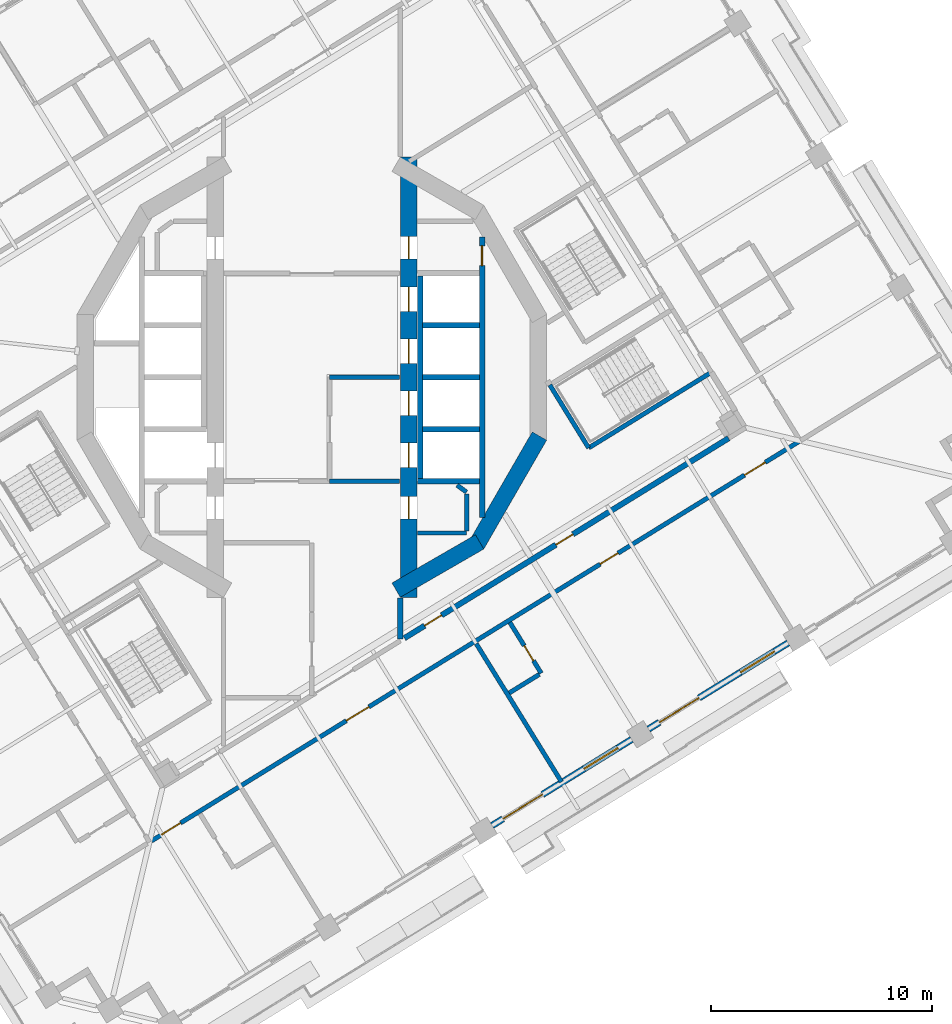
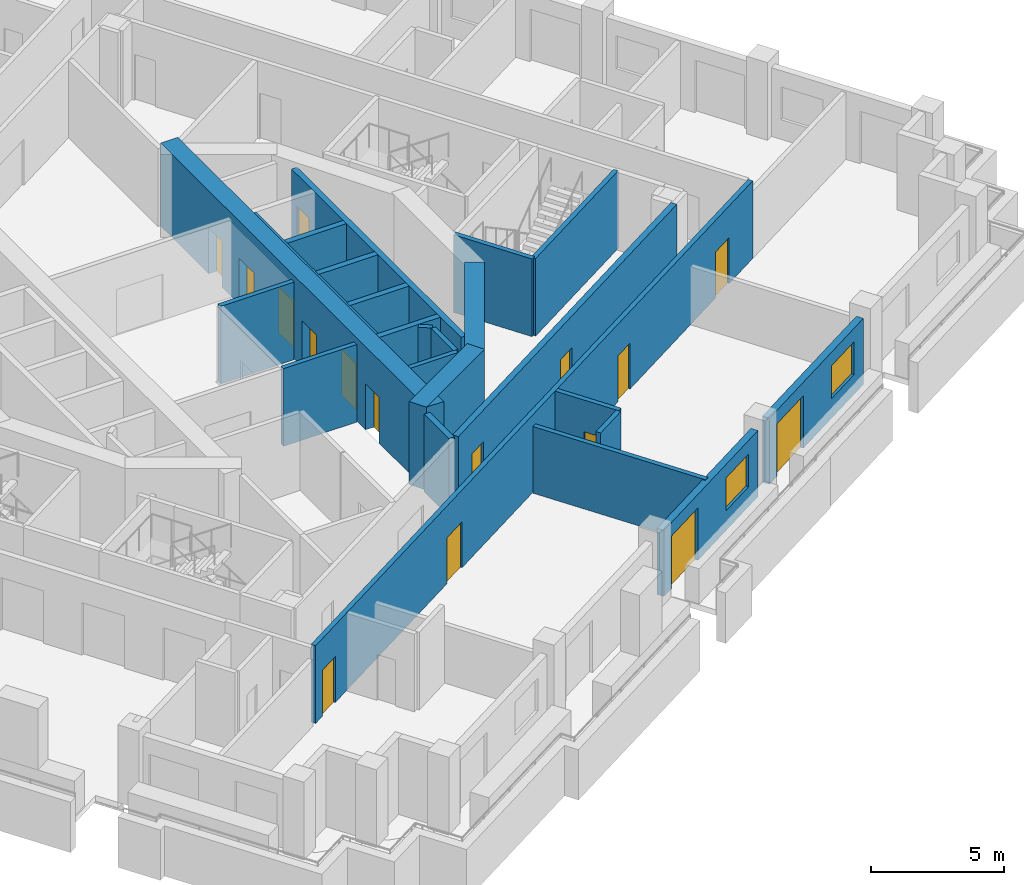
# One storey, part 6 of 20: 24 walls, 16 doors, 2 windows, 18 openings.
"""IFC4 building model written with IfcOpenShell, lengths in metres."""

import ifcopenshell
import ifcopenshell.guid

model = None  # the IFC model being written
_history = None  # IfcOwnerHistory: only IFC2X3 demands one
_inside = {}  # id of a spatial element -> (the spatial element, [elements in it])
_under = {}  # id of a project, library or spatial element -> (it, [spatial elements below it])
_declared = {}  # id of a project -> (the project, [libraries it declares])
_typed = {}  # id of a type object -> (the type object, [elements of that type])
_made_of = {}  # id of a material, layer set ... -> (it, [elements and type objects made of it])


def new_model(schema):
    """Start an empty IFC model of exactly this schema.

    Asked for "IFC4X3", IfcOpenShell would pick the latest addendum, in which some entities
    have other attributes; the version numbers below select the first issue.
    IFC2X3 requires an IfcOwnerHistory on every rooted entity: one is made here for all.
    """
    global model, _history
    if schema == "IFC4X3":
        model = ifcopenshell.file(schema_version=(4, 3, 0, 0))
    else:
        model = ifcopenshell.file(schema=schema)
    _inside.clear()
    _under.clear()
    _declared.clear()
    _typed.clear()
    _made_of.clear()
    _history = None
    if model.schema == "IFC2X3":
        org = make("IfcOrganization", Name="unknown")
        user = make(
            "IfcPersonAndOrganization",
            ThePerson=make("IfcPerson", FamilyName="unknown"),
            TheOrganization=org,
        )
        app = make(
            "IfcApplication",
            ApplicationDeveloper=org,
            Version="unknown",
            ApplicationFullName="unknown",
            ApplicationIdentifier="unknown",
        )
        _history = make(
            "IfcOwnerHistory",
            OwningUser=user,
            OwningApplication=app,
            ChangeAction="ADDED",
            CreationDate=0,
        )
    return model


def make(cls, **values):
    """One entity of the class cls with the attributes given. An attribute that is None is left unset."""
    return model.create_entity(
        cls, **{name: value for name, value in values.items() if value is not None}
    )


def rooted(cls, **values):
    """An entity with a GlobalId (a new one), such as an element, a storey or a relation."""
    return make(cls, GlobalId=ifcopenshell.guid.new(), OwnerHistory=_history, **values)


def si_unit(unit_type, name, prefix=None):
    """IfcSIUnit, for example si_unit("LENGTHUNIT", "METRE", prefix="MILLI")."""
    return make("IfcSIUnit", UnitType=unit_type, Prefix=prefix, Name=name)


def assignment(units):
    """IfcUnitAssignment: the units of a project."""
    return None if units is None else make("IfcUnitAssignment", Units=units)


def point(xyz):
    """IfcCartesianPoint."""
    return None if xyz is None else make("IfcCartesianPoint", Coordinates=xyz)


def direction(xyz):
    """IfcDirection."""
    return None if xyz is None else make("IfcDirection", DirectionRatios=xyz)


def frame(location, z_axis=None, x_axis=None):
    """IfcAxis2Placement3D, a coordinate frame: its origin and axes. An axis left out is left unset."""
    return make(
        "IfcAxis2Placement3D",
        Location=point(location),
        Axis=direction(z_axis),
        RefDirection=direction(x_axis),
    )


def frame_2d(location, x_axis=None):
    """IfcAxis2Placement2D, a coordinate frame in the plane: its origin and x axis."""
    return make(
        "IfcAxis2Placement2D", Location=point(location), RefDirection=direction(x_axis)
    )


def origin():
    """The frame at (0, 0, 0) with its axes left unset."""
    return frame((0.0, 0.0, 0.0))


def place(relative_to, where):
    """IfcLocalPlacement: puts the frame where relative to a parent placement (None: the world)."""
    return make(
        "IfcLocalPlacement", PlacementRelTo=relative_to, RelativePlacement=where
    )


def context(
    kind, dimensions, precision=None, world=None, true_north=None, identifier=None
):
    """IfcGeometricRepresentationContext, for example the 3D "Model" context."""
    return make(
        "IfcGeometricRepresentationContext",
        ContextIdentifier=identifier,
        ContextType=kind,
        CoordinateSpaceDimension=dimensions,
        Precision=precision,
        WorldCoordinateSystem=world,
        TrueNorth=true_north,
    )


def subcontext(parent, identifier, kind, view, scale=None):
    """IfcGeometricRepresentationSubContext, for example "Body" below "Model"."""
    return make(
        "IfcGeometricRepresentationSubContext",
        ContextIdentifier=identifier,
        ContextType=kind,
        ParentContext=parent,
        TargetScale=scale,
        TargetView=view,
    )


def project(units=None, contexts=None):
    """IfcProject with its units and contexts."""
    return rooted(
        "IfcProject",
        Name="project",
        RepresentationContexts=contexts,
        UnitsInContext=assignment(units),
    )


def spatial(cls, under=None, at=None, **own):
    """A site, building, storey or space (cls), placed at a placement, below another one or the project."""
    s = rooted(cls, ObjectPlacement=at, **own)
    if under is not None:
        _under.setdefault(under.id(), (under, []))[1].append(s)
    return s


def profile(cls, at=None, kind="AREA", **sizes):
    """A parametric profile (cls). Its sizes go by their IFC names, for example OverallWidth=200.0."""
    return make(cls, ProfileType=kind, Position=at, **sizes)


def rectangle(**sizes):
    """IfcRectangleProfileDef."""
    return profile("IfcRectangleProfileDef", **sizes)


def extrude(swept, where, along, depth):
    """IfcExtrudedAreaSolid: the profile swept, set in the frame where, extruded along a direction by depth."""
    return make(
        "IfcExtrudedAreaSolid",
        SweptArea=swept,
        Position=where,
        ExtrudedDirection=direction(along),
        Depth=depth,
    )


def shape(context_of_items, identifier, shape_type, items):
    """IfcShapeRepresentation: the items that make up one representation, for example the "Body"."""
    return make(
        "IfcShapeRepresentation",
        ContextOfItems=context_of_items,
        RepresentationIdentifier=identifier,
        RepresentationType=shape_type,
        Items=items,
    )


def material(Name=None, Category=None):
    """IfcMaterial."""
    return make("IfcMaterial", Name=Name, Category=Category)


def layer(
    of_material, thickness, ventilated=None, Name=None, Category=None, Priority=None
):
    """IfcMaterialLayer: one layer of a wall or slab, of a material (None: an air gap)."""
    return make(
        "IfcMaterialLayer",
        Material=of_material,
        LayerThickness=thickness,
        IsVentilated=ventilated,
        Name=Name,
        Category=Category,
        Priority=Priority,
    )


def layer_set(layers, Name=None):
    """IfcMaterialLayerSet."""
    return make("IfcMaterialLayerSet", MaterialLayers=layers, LayerSetName=Name)


def made_of(thing, what):
    """Note that an element or type object is made of a material, layer set ...; save() writes the relation."""
    if what is not None:
        _made_of.setdefault(what.id(), (what, []))[1].append(thing)
    return thing


def type_object(cls, material=None, **own):
    """A type object (cls), such as IfcWallType, which elements share."""
    return made_of(rooted(cls, **own), material)


def element(
    cls,
    number,
    at=None,
    inside=None,
    cuts=None,
    type_object=None,
    material=None,
    context=None,
    identifier="Body",
    shape_type=None,
    held_by="IfcProductDefinitionShape",
    body=None,
    shapes=None,
    **own,
):
    """One element of the class cls, such as IfcWall. Its Tag is "e" and its number.

    at: its placement. inside: the storey or other place that contains it. cuts: it is an
    opening in that element (IfcRelVoidsElement). A single representation is given by context,
    identifier, shape_type and body (its items); several are given by shapes. held_by: the class
    of the entity that holds the representations. save() writes the other relations.
    """
    e = rooted(cls, Tag="e%d" % number, ObjectPlacement=at, **own)
    if body is not None:
        shapes = [shape(context, identifier, shape_type, body)]
    if shapes is not None:
        e.Representation = make(held_by, Representations=shapes)
    if inside is not None:
        _inside.setdefault(inside.id(), (inside, []))[1].append(e)
    if cuts is not None:
        rooted(
            "IfcRelVoidsElement", RelatingBuildingElement=cuts, RelatedOpeningElement=e
        )
    if type_object is not None:
        _typed.setdefault(type_object.id(), (type_object, []))[1].append(e)
    return made_of(e, material)


def fill(opening, filler):
    """IfcRelFillsElement: the door or window that sits in an opening."""
    return rooted(
        "IfcRelFillsElement",
        RelatingOpeningElement=opening,
        RelatedBuildingElement=filler,
    )


def aggregate(whole, parts):
    """IfcRelAggregates: a whole, such as a stair, and the parts it consists of."""
    return rooted("IfcRelAggregates", RelatingObject=whole, RelatedObjects=parts)


def save(model, path):
    """Write the relations noted so far, then the file.

    IfcRelAggregates (storeys below a building ...), IfcRelContainedInSpatialStructure (elements
    in a storey), IfcRelDefinesByType, IfcRelAssociatesMaterial and IfcRelDeclares: one each for
    every whole, place, type object, material and project.
    """
    for whole, parts in _under.values():
        aggregate(whole, parts)
    for where, things in _inside.values():
        rooted(
            "IfcRelContainedInSpatialStructure",
            RelatedElements=things,
            RelatingStructure=where,
        )
    for kind, things in _typed.values():
        rooted("IfcRelDefinesByType", RelatedObjects=things, RelatingType=kind)
    for what, things in _made_of.values():
        rooted("IfcRelAssociatesMaterial", RelatedObjects=things, RelatingMaterial=what)
    for by, libraries in _declared.values():
        rooted("IfcRelDeclares", RelatingContext=by, RelatedDefinitions=libraries)
    model.write(path)


model = new_model("IFC4")

# Units and contexts
model_context = context("Model", 3, precision=1e-05, world=origin(), true_north=direction((0.0, 1.0)))
body_context = subcontext(model_context, "Body", "Model", "MODEL_VIEW")
ifc_project = project(units=[si_unit("LENGTHUNIT", "METRE"), si_unit("AREAUNIT", "SQUARE_METRE"), si_unit("VOLUMEUNIT", "CUBIC_METRE"), si_unit("PLANEANGLEUNIT", "RADIAN"), si_unit("MASSUNIT", "GRAM", prefix="KILO")], contexts=[model_context])

# Site, building, storey
site_placement = place(None, origin())
site = spatial("IfcSite", under=ifc_project, at=site_placement, CompositionType="ELEMENT")
building_placement = place(site_placement, origin())
building = spatial("IfcBuilding", under=site, at=building_placement, Name="Cantera Rosa Tower", CompositionType="ELEMENT")
storey_placement = place(building_placement, frame((0.0, 0.0, 159.0)))
storey = spatial("IfcBuildingStorey", under=building, at=storey_placement, Name="L34", CompositionType="ELEMENT", Elevation=159.0)

# Wall, openings, doors
ifc_material_1 = material(Name="Gypsum board partition")
ifc_layer_1 = layer(ifc_material_1, 0.199951171875)
ifc_layer_set_1 = layer_set([ifc_layer_1], Name="CORRIDOR WALL 200 H3550")
wall_type_1 = type_object("IfcWallType", Name="CORRIDOR WALL 200 H3550", PredefinedType="PARTITIONING", material=ifc_layer_set_1)
wall_1_placement = place(storey_placement, frame((-7.26318359375, -20.98779296875, 0.0), z_axis=(0.0, 0.0, 1.0), x_axis=(0.851116274649, 0.524977225246, 0.0)))
wall_1 = element("IfcWall", 1, at=wall_1_placement, inside=storey, type_object=wall_type_1, Name="CORRIDOR WALL L34-039", PredefinedType="PARTITIONING", context=body_context, shape_type="SweptSolid", body=[
    extrude(rectangle(XDim=34.499755859375, YDim=0.199951171875, at=frame_2d((17.25, 0.0))), origin(), (0.0, 0.0, 1.0), 3.550048828125),
])
opening_1_placement = place(wall_1_placement, frame((10.360107421875, 0.0, 0.0)))
opening_1 = element("IfcOpeningElement", 2, at=opening_1_placement, cuts=wall_1, Name="Opening L34-041", PredefinedType="OPENING", context=body_context, shape_type="SweptSolid", body=[
    extrude(rectangle(XDim=1.199951171875, YDim=2.10009765625, at=frame_2d((0.60009765625, 1.050048828125))), frame((0.0, 0.10986328125, 0.0), z_axis=(0.0, -1.0, 0.0), x_axis=(1.0, 0.0, 0.0)), (0.0, 0.0, 1.0), 0.219970703125),
])
opening_2_placement = place(wall_1_placement, frame((23.864990234375, 0.0, 0.0)))
opening_2 = element("IfcOpeningElement", 3, at=opening_2_placement, cuts=wall_1, Name="Opening L34-042", PredefinedType="OPENING", context=body_context, shape_type="SweptSolid", body=[
    extrude(rectangle(XDim=0.949951171875, YDim=2.10009765625, at=frame_2d((0.47509765625, 1.050048828125))), frame((0.0, 0.10986328125, 0.0), z_axis=(0.0, -1.0, 0.0), x_axis=(1.0, 0.0, 0.0)), (0.0, 0.0, 1.0), 0.219970703125),
])
opening_3_placement = place(wall_1_placement, frame((0.550048828125, 0.0, 0.0)))
opening_3 = element("IfcOpeningElement", 4, at=opening_3_placement, cuts=wall_1, Name="Opening L34-044", PredefinedType="OPENING", context=body_context, shape_type="SweptSolid", body=[
    extrude(rectangle(XDim=1.0, YDim=2.10009765625, at=frame_2d((0.5, 1.050048828125))), frame((0.0, 0.10986328125, 0.0), z_axis=(0.0, -1.0, 0.0), x_axis=(1.0, 0.0, 0.0)), (0.0, 0.0, 1.0), 0.219970703125),
])
opening_4_placement = place(wall_1_placement, frame((31.5400390625, 0.0, 0.0)))
opening_4 = element("IfcOpeningElement", 5, at=opening_4_placement, cuts=wall_1, Name="Opening L34-046", PredefinedType="OPENING", context=body_context, shape_type="SweptSolid", body=[
    extrude(rectangle(XDim=1.10009765625, YDim=2.10009765625, at=frame_2d((0.550048828125, 1.050048828125))), frame((0.0, 0.10986328125, 0.0), z_axis=(0.0, -1.0, 0.0), x_axis=(1.0, 0.0, 0.0)), (0.0, 0.0, 1.0), 0.219970703125),
])
ifc_material_2 = material(Name="Timber door leaf", Category="wood")
door_type_1 = type_object("IfcDoorType", Name="ENTRANCE DOOR 1000x2100", OperationType="NOTDEFINED", PredefinedType="DOOR", material=ifc_material_2)
door_1_placement = place(opening_3_placement, origin())
door_1 = element("IfcDoor", 6, at=door_1_placement, inside=storey, type_object=door_type_1, Name="DOOR L34-044", OperationType="NOTDEFINED", OverallHeight=2.10009765625, OverallWidth=1.0, PredefinedType="DOOR", context=body_context, shape_type="SweptSolid", body=[
    extrude(rectangle(XDim=1.0, YDim=2.10009765625, at=frame_2d((0.5, 1.050048828125))), frame((0.0, 0.02490234375, 0.0), z_axis=(0.0, -1.0, 0.0), x_axis=(1.0, 0.0, 0.0)), (0.0, 0.0, 1.0), 0.050048828125),
])
fill(opening_3, door_1)
ifc_material_3 = material(Name="Timber door leaf", Category="wood")
door_type_2 = type_object("IfcDoorType", Name="ROOM DOOR 1100x2100", OperationType="NOTDEFINED", PredefinedType="DOOR", material=ifc_material_3)
door_2_placement = place(opening_4_placement, origin())
door_2 = element("IfcDoor", 7, at=door_2_placement, inside=storey, type_object=door_type_2, Name="DOOR L34-046", OperationType="NOTDEFINED", OverallHeight=2.10009765625, OverallWidth=1.10009765625, PredefinedType="DOOR", context=body_context, shape_type="SweptSolid", body=[
    extrude(rectangle(XDim=1.10009765625, YDim=2.10009765625, at=frame_2d((0.550048828125, 1.050048828125))), frame((0.0, 0.02490234375, 0.0), z_axis=(0.0, -1.0, 0.0), x_axis=(1.0, 0.0, 0.0)), (0.0, 0.0, 1.0), 0.050048828125),
])
fill(opening_4, door_2)
ifc_material_4 = material(Name="Timber door leaf", Category="wood")
door_type_3 = type_object("IfcDoorType", Name="ROOM DOOR 1200x2100", OperationType="NOTDEFINED", PredefinedType="DOOR", material=ifc_material_4)
door_3_placement = place(opening_1_placement, origin())
door_3 = element("IfcDoor", 8, at=door_3_placement, inside=storey, type_object=door_type_3, Name="DOOR L34-041", OperationType="NOTDEFINED", OverallHeight=2.10009765625, OverallWidth=1.199951171875, PredefinedType="DOOR", context=body_context, shape_type="SweptSolid", body=[
    extrude(rectangle(XDim=1.199951171875, YDim=2.10009765625, at=frame_2d((0.60009765625, 1.050048828125))), frame((0.0, 0.02490234375, 0.0), z_axis=(0.0, -1.0, 0.0), x_axis=(1.0, 0.0, 0.0)), (0.0, 0.0, 1.0), 0.050048828125),
])
fill(opening_1, door_3)
ifc_material_5 = material(Name="Timber door leaf", Category="wood")
door_type_4 = type_object("IfcDoorType", Name="ROOM DOOR 950x2100", OperationType="NOTDEFINED", PredefinedType="DOOR", material=ifc_material_5)
door_4_placement = place(opening_2_placement, origin())
door_4 = element("IfcDoor", 9, at=door_4_placement, inside=storey, type_object=door_type_4, Name="DOOR L34-042", OperationType="NOTDEFINED", OverallHeight=2.10009765625, OverallWidth=0.949951171875, PredefinedType="DOOR", context=body_context, shape_type="SweptSolid", body=[
    extrude(rectangle(XDim=0.949951171875, YDim=2.10009765625, at=frame_2d((0.47509765625, 1.050048828125))), frame((0.0, 0.02490234375, 0.0), z_axis=(0.0, -1.0, 0.0), x_axis=(1.0, 0.0, 0.0)), (0.0, 0.0, 1.0), 0.050048828125),
])
fill(opening_2, door_4)

# Wall, openings, window, door
ifc_material_6 = material(Name="Hollow clay masonry with cantera stone cladding", Category="masonry")
ifc_layer_2 = layer(ifc_material_6, 0.300048828125)
ifc_layer_set_2 = layer_set([ifc_layer_2], Name="EW-LOGGIA 300 H3020")
wall_type_2 = type_object("IfcWallType", Name="EW-LOGGIA 300 H3020", PredefinedType="SOLIDWALL", material=ifc_layer_set_2)
wall_2_placement = place(storey_placement, frame((8.155517578125, -20.289306640625, 0.0), z_axis=(0.0, 0.0, 1.0), x_axis=(0.851111085575, 0.524985637909, 0.0)))
wall_2 = element("IfcWall", 10, at=wall_2_placement, inside=storey, type_object=wall_type_2, Name="EN-L34-W24", PredefinedType="SOLIDWALL", context=body_context, shape_type="SweptSolid", body=[
    extrude(rectangle(XDim=7.420166015625, YDim=0.300048828125, at=frame_2d((3.7099609375, 0.0))), origin(), (0.0, 0.0, 1.0), 3.02001953125),
])
opening_5_placement = place(wall_2_placement, frame((0.580078125, 0.0, 0.0)))
opening_5 = element("IfcOpeningElement", 11, at=opening_5_placement, cuts=wall_2, Name="Opening L34-TD31", PredefinedType="OPENING", context=body_context, shape_type="SweptSolid", body=[
    extrude(rectangle(XDim=2.10009765625, YDim=2.39990234375, at=frame_2d((1.050048828125, 1.199951171875))), frame((0.0, 0.159912109375, 0.0), z_axis=(0.0, -1.0, 0.0), x_axis=(1.0, 0.0, 0.0)), (0.0, 0.0, 1.0), 0.320068359375),
])
opening_6_placement = place(wall_2_placement, frame((4.889892578125, 0.0, 0.89990234375)))
opening_6 = element("IfcOpeningElement", 12, at=opening_6_placement, cuts=wall_2, Name="Opening L34-W32", PredefinedType="OPENING", context=body_context, shape_type="SweptSolid", body=[
    extrude(rectangle(XDim=1.800048828125, YDim=1.5, at=frame_2d((0.89990234375, 0.75))), frame((0.0, 0.159912109375, 0.0), z_axis=(0.0, -1.0, 0.0), x_axis=(1.0, 0.0, 0.0)), (0.0, 0.0, 1.0), 0.320068359375),
])
ifc_material_7 = material(Name="Aluminium frame with clear glass", Category="aluminium")
window_type = type_object("IfcWindowType", Name="Hotel room window 1800x1500", PartitioningType="DOUBLE_PANEL_VERTICAL", PredefinedType="WINDOW", material=ifc_material_7)
window_1_placement = place(opening_6_placement, origin())
window_1 = element("IfcWindow", 13, at=window_1_placement, inside=storey, type_object=window_type, Name="WINDOW L34-W32", OverallHeight=1.5, OverallWidth=1.800048828125, PartitioningType="SINGLE_PANEL", PredefinedType="WINDOW", context=body_context, shape_type="SweptSolid", body=[
    extrude(rectangle(XDim=1.800048828125, YDim=1.5, at=frame_2d((0.89990234375, 0.75))), frame((0.0, 0.030029296875, 0.0), z_axis=(0.0, -1.0, 0.0), x_axis=(1.0, 0.0, 0.0)), (0.0, 0.0, 1.0), 0.06005859375),
])
fill(opening_6, window_1)
ifc_material_8 = material(Name="Aluminium frame with clear glass", Category="aluminium")
door_type_5 = type_object("IfcDoorType", Name="TD-H 2100x2400", OperationType="NOTDEFINED", PredefinedType="DOOR", material=ifc_material_8)
door_5_placement = place(opening_5_placement, origin())
door_5 = element("IfcDoor", 14, at=door_5_placement, inside=storey, type_object=door_type_5, Name="LOGGIA DOOR L34-TD31", OperationType="SLIDING_TO_LEFT", OverallHeight=2.39990234375, OverallWidth=2.10009765625, PredefinedType="DOOR", context=body_context, shape_type="SweptSolid", body=[
    extrude(rectangle(XDim=2.10009765625, YDim=2.39990234375, at=frame_2d((1.050048828125, 1.199951171875))), frame((0.0, 0.02490234375, 0.0), z_axis=(0.0, -1.0, 0.0), x_axis=(1.0, 0.0, 0.0)), (0.0, 0.0, 1.0), 0.050048828125),
])
fill(opening_5, door_5)

wall_3_placement = place(storey_placement, frame((15.23681640625, -15.92138671875, 0.0), z_axis=(0.0, 0.0, 1.0), x_axis=(0.85112578684, 0.524961803349, 0.0)))
wall_3 = element("IfcWall", 15, at=wall_3_placement, inside=storey, type_object=wall_type_2, Name="EN-L34-W25", PredefinedType="SOLIDWALL", context=body_context, shape_type="SweptSolid", body=[
    extrude(rectangle(XDim=7.420166015625, YDim=0.300048828125, at=frame_2d((3.7099609375, 0.0))), origin(), (0.0, 0.0, 1.0), 3.02001953125),
])
opening_7_placement = place(wall_3_placement, frame((0.580078125, 0.0, 0.0)))
opening_7 = element("IfcOpeningElement", 16, at=opening_7_placement, cuts=wall_3, Name="Opening L34-TD33", PredefinedType="OPENING", context=body_context, shape_type="SweptSolid", body=[
    extrude(rectangle(XDim=2.10009765625, YDim=2.39990234375, at=frame_2d((1.050048828125, 1.199951171875))), frame((0.0, 0.159912109375, 0.0), z_axis=(0.0, -1.0, 0.0), x_axis=(1.0, 0.0, 0.0)), (0.0, 0.0, 1.0), 0.320068359375),
])
opening_8_placement = place(wall_3_placement, frame((4.889892578125, 0.0, 0.89990234375)))
opening_8 = element("IfcOpeningElement", 17, at=opening_8_placement, cuts=wall_3, Name="Opening L34-W34", PredefinedType="OPENING", context=body_context, shape_type="SweptSolid", body=[
    extrude(rectangle(XDim=1.800048828125, YDim=1.5, at=frame_2d((0.89990234375, 0.75))), frame((0.0, 0.159912109375, 0.0), z_axis=(0.0, -1.0, 0.0), x_axis=(1.0, 0.0, 0.0)), (0.0, 0.0, 1.0), 0.320068359375),
])
window_2_placement = place(opening_8_placement, origin())
window_2 = element("IfcWindow", 18, at=window_2_placement, inside=storey, type_object=window_type, Name="WINDOW L34-W34", OverallHeight=1.5, OverallWidth=1.800048828125, PartitioningType="SINGLE_PANEL", PredefinedType="WINDOW", context=body_context, shape_type="SweptSolid", body=[
    extrude(rectangle(XDim=1.800048828125, YDim=1.5, at=frame_2d((0.89990234375, 0.75))), frame((0.0, 0.030029296875, 0.0), z_axis=(0.0, -1.0, 0.0), x_axis=(1.0, 0.0, 0.0)), (0.0, 0.0, 1.0), 0.06005859375),
])
fill(opening_8, window_2)
door_6_placement = place(opening_7_placement, origin())
door_6 = element("IfcDoor", 19, at=door_6_placement, inside=storey, type_object=door_type_5, Name="LOGGIA DOOR L34-TD33", OperationType="SLIDING_TO_LEFT", OverallHeight=2.39990234375, OverallWidth=2.10009765625, PredefinedType="DOOR", context=body_context, shape_type="SweptSolid", body=[
    extrude(rectangle(XDim=2.10009765625, YDim=2.39990234375, at=frame_2d((1.050048828125, 1.199951171875))), frame((0.0, 0.02490234375, 0.0), z_axis=(0.0, -1.0, 0.0), x_axis=(1.0, 0.0, 0.0)), (0.0, 0.0, 1.0), 0.050048828125),
])
fill(opening_7, door_6)

# Walls
ifc_material_9 = material(Name="Gypsum board partition")
ifc_layer_3 = layer(ifc_material_9, 0.199951171875)
ifc_layer_set_3 = layer_set([ifc_layer_3], Name="PARTITION 200 H3550")
wall_type_3 = type_object("IfcWallType", Name="PARTITION 200 H3550", PredefinedType="PARTITIONING", material=ifc_layer_set_3)
wall_4_placement = place(storey_placement, frame((6.572509765625, -4.888427734375, 0.0), z_axis=(0.0, 0.0, 1.0), x_axis=(0.808176867567, -0.588939853236, 0.0)))
element("IfcWall", 20, at=wall_4_placement, inside=storey, type_object=wall_type_3, Name="PARTITION L34-083", PredefinedType="PARTITIONING", context=body_context, shape_type="SweptSolid", body=[
    extrude(rectangle(XDim=0.529052734375, YDim=0.199951171875, at=frame_2d((0.2646484375, 0.0))), origin(), (0.0, 0.0, 1.0), 3.550048828125),
])
wall_5_placement = place(storey_placement, frame((7.0, -7.050048828125, 0.0), z_axis=(0.0, 0.0, 1.0), x_axis=(-1.0, 0.0, 0.0)))
element("IfcWall", 21, at=wall_5_placement, inside=storey, type_object=wall_type_3, Name="PARTITION L34-086", PredefinedType="PARTITIONING", context=body_context, shape_type="SweptSolid", body=[
    extrude(rectangle(XDim=2.219970703125, YDim=0.199951171875, at=frame_2d((1.10986328125, 0.0))), origin(), (0.0, 0.0, 1.0), 3.550048828125),
])
wall_6_placement = place(storey_placement, frame((7.0, -5.280029296875, 0.0), z_axis=(0.0, 0.0, 1.0), x_axis=(0.0, -1.0, 0.0)))
element("IfcWall", 22, at=wall_6_placement, inside=storey, type_object=wall_type_3, Name="PARTITION L34-087", PredefinedType="PARTITIONING", context=body_context, shape_type="SweptSolid", body=[
    extrude(rectangle(XDim=1.68994140625, YDim=0.199951171875, at=frame_2d((0.844970703125, 0.0))), origin(), (0.0, 0.0, 1.0), 3.550048828125),
])

# Wall, opening, door
wall_7_placement = place(storey_placement, frame((8.96044921875, -11.098388671875, 0.0), z_axis=(0.0, 0.0, 1.0), x_axis=(0.524974952644, -0.85111767641, 0.0)))
wall_7 = element("IfcWall", 23, at=wall_7_placement, inside=storey, type_object=wall_type_3, Name="PARTITION L34-095", PredefinedType="PARTITIONING", context=body_context, shape_type="SweptSolid", body=[
    extrude(rectangle(XDim=2.7001953125, YDim=0.199951171875, at=frame_2d((1.35009765625, 0.0))), origin(), (0.0, 0.0, 1.0), 3.550048828125),
])
opening_9_placement = place(wall_7_placement, frame((1.236083984375, 0.0, 0.0)))
opening_9 = element("IfcOpeningElement", 24, at=opening_9_placement, cuts=wall_7, Name="Opening L34-043", PredefinedType="OPENING", context=body_context, shape_type="SweptSolid", body=[
    extrude(rectangle(XDim=0.800048828125, YDim=2.10009765625, at=frame_2d((0.39990234375, 1.050048828125))), frame((0.0, 0.10986328125, 0.0), z_axis=(0.0, -1.0, 0.0), x_axis=(1.0, 0.0, 0.0)), (0.0, 0.0, 1.0), 0.219970703125),
])
ifc_material_10 = material(Name="Timber door leaf", Category="wood")
door_type_6 = type_object("IfcDoorType", Name="BATHROOM DOOR 800x2100", OperationType="NOTDEFINED", PredefinedType="DOOR", material=ifc_material_10)
door_7_placement = place(opening_9_placement, origin())
door_7 = element("IfcDoor", 25, at=door_7_placement, inside=storey, type_object=door_type_6, Name="DOOR L34-043", OperationType="NOTDEFINED", OverallHeight=2.10009765625, OverallWidth=0.800048828125, PredefinedType="DOOR", context=body_context, shape_type="SweptSolid", body=[
    extrude(rectangle(XDim=0.800048828125, YDim=2.10009765625, at=frame_2d((0.39990234375, 1.050048828125))), frame((0.0, 0.02490234375, 0.0), z_axis=(0.0, -1.0, 0.0), x_axis=(1.0, 0.0, 0.0)), (0.0, 0.0, 1.0), 0.050048828125),
])
fill(opening_9, door_7)

# Walls
wall_8_placement = place(storey_placement, frame((10.292724609375, -13.448974609375, 0.0), z_axis=(0.0, 0.0, 1.0), x_axis=(-0.851154962238, -0.524914498045, 0.0)))
element("IfcWall", 26, at=wall_8_placement, inside=storey, type_object=wall_type_3, Name="PARTITION L34-097", PredefinedType="PARTITIONING", context=body_context, shape_type="SweptSolid", body=[
    extrude(rectangle(XDim=1.599853515625, YDim=0.199951171875, at=frame_2d((0.7998046875, 0.0))), origin(), (0.0, 0.0, 1.0), 3.550048828125),
])
ifc_material_11 = material(Name="Gypsum board partition")
ifc_layer_4 = layer(ifc_material_11, 0.199951171875)
ifc_layer_set_4 = layer_set([ifc_layer_4], Name="PARTY WALL 200 H3050")
wall_type_4 = type_object("IfcWallType", Name="PARTY WALL 200 H3050", PredefinedType="PARTITIONING", material=ifc_layer_set_4)
wall_9_placement = place(storey_placement, frame((7.43896484375, -12.060302734375, 0.0), z_axis=(0.0, 0.0, 1.0), x_axis=(0.52498856982, -0.851109277096, 0.0)))
element("IfcWall", 27, at=wall_9_placement, inside=storey, type_object=wall_type_4, Name="PARTY WALL L34-091", PredefinedType="PARTITIONING", context=body_context, shape_type="SweptSolid", body=[
    extrude(rectangle(XDim=7.349853515625, YDim=0.199951171875, at=frame_2d((3.6748046875, 0.0))), origin(), (0.0, 0.0, 1.0), 3.050048828125),
])
ifc_material_12 = material(Name="Concrete C60/75", Category="concrete")
ifc_layer_5 = layer(ifc_material_12, 0.75)
ifc_layer_set_5 = layer_set([ifc_layer_5], Name="RC CORE WALL 750 C60/75")
wall_type_5 = type_object("IfcWallType", Name="RC CORE WALL 750 C60/75", PredefinedType="SHEAR", material=ifc_layer_set_5)
wall_10_placement = place(storey_placement, frame((10.300537109375, -2.659423828125, 0.0), z_axis=(0.0, 0.0, 1.0), x_axis=(-0.500021842983, -0.866012792365, 0.0)))
element("IfcWall", 28, at=wall_10_placement, inside=storey, type_object=wall_type_5, Name="CW-E4 L34", PredefinedType="SHEAR", context=body_context, shape_type="SweptSolid", body=[
    extrude(rectangle(XDim=5.694091796875, YDim=0.75, at=frame_2d((2.84716796875, 0.0))), origin(), (0.0, 0.0, 1.0), 3.800048828125),
])
wall_11_placement = place(storey_placement, frame((7.590576171875, -7.453369140625, 0.0), z_axis=(0.0, 0.0, 1.0), x_axis=(-0.866013176292, -0.50002117804, 0.0)))
element("IfcWall", 29, at=wall_11_placement, inside=storey, type_object=wall_type_5, Name="CW-E5 L34", PredefinedType="SHEAR", context=body_context, shape_type="SweptSolid", body=[
    extrude(rectangle(XDim=4.362548828125, YDim=0.75, at=frame_2d((2.18115234375, 0.0))), origin(), (0.0, 0.0, 1.0), 3.800048828125),
])

# Wall, openings, doors
wall_12_placement = place(storey_placement, frame((4.375, -9.95947265625, 0.0), z_axis=(0.0, 0.0, 1.0), x_axis=(0.0, 1.0, 0.0)))
wall_12 = element("IfcWall", 30, at=wall_12_placement, inside=storey, type_object=wall_type_5, Name="CW-E6 L34", PredefinedType="SHEAR", context=body_context, shape_type="SweptSolid", body=[
    extrude(rectangle(XDim=19.9189453125, YDim=0.75, at=frame_2d((9.95947265625, 0.0))), origin(), (0.0, 0.0, 1.0), 3.800048828125),
])
opening_10_placement = place(wall_12_placement, frame((5.884521484375, 0.0, 0.0)))
opening_10 = element("IfcOpeningElement", 31, at=opening_10_placement, cuts=wall_12, Name="Opening LD-FF1-L34", PredefinedType="OPENING", context=body_context, shape_type="SweptSolid", body=[
    extrude(rectangle(XDim=1.10009765625, YDim=2.10009765625, at=frame_2d((0.550048828125, 1.050048828125))), frame((0.0, 0.385009765625, 0.0), z_axis=(0.0, -1.0, 0.0), x_axis=(1.0, 0.0, 0.0)), (0.0, 0.0, 1.0), 0.77001953125),
])
opening_11_placement = place(wall_12_placement, frame((8.234619140625, 0.0, 0.0)))
opening_11 = element("IfcOpeningElement", 32, at=opening_11_placement, cuts=wall_12, Name="Opening LD-FF2-L34", PredefinedType="OPENING", context=body_context, shape_type="SweptSolid", body=[
    extrude(rectangle(XDim=1.10009765625, YDim=2.10009765625, at=frame_2d((0.550048828125, 1.050048828125))), frame((0.0, 0.385009765625, 0.0), z_axis=(0.0, -1.0, 0.0), x_axis=(1.0, 0.0, 0.0)), (0.0, 0.0, 1.0), 0.77001953125),
])
opening_12_placement = place(wall_12_placement, frame((10.58447265625, 0.0, 0.0)))
opening_12 = element("IfcOpeningElement", 33, at=opening_12_placement, cuts=wall_12, Name="Opening LD-P1-L34", PredefinedType="OPENING", context=body_context, shape_type="SweptSolid", body=[
    extrude(rectangle(XDim=1.10009765625, YDim=2.10009765625, at=frame_2d((0.550048828125, 1.050048828125))), frame((0.0, 0.385009765625, 0.0), z_axis=(0.0, -1.0, 0.0), x_axis=(1.0, 0.0, 0.0)), (0.0, 0.0, 1.0), 0.77001953125),
])
opening_13_placement = place(wall_12_placement, frame((12.9345703125, 0.0, 0.0)))
opening_13 = element("IfcOpeningElement", 34, at=opening_13_placement, cuts=wall_12, Name="Opening LD-P2-L34", PredefinedType="OPENING", context=body_context, shape_type="SweptSolid", body=[
    extrude(rectangle(XDim=1.10009765625, YDim=2.10009765625, at=frame_2d((0.550048828125, 1.050048828125))), frame((0.0, 0.385009765625, 0.0), z_axis=(0.0, -1.0, 0.0), x_axis=(1.0, 0.0, 0.0)), (0.0, 0.0, 1.0), 0.77001953125),
])
opening_14_placement = place(wall_12_placement, frame((3.55078125, 0.0, 0.0)))
opening_14 = element("IfcOpeningElement", 35, at=opening_14_placement, cuts=wall_12, Name="Opening SD-L34-19", PredefinedType="OPENING", context=body_context, shape_type="SweptSolid", body=[
    extrude(rectangle(XDim=1.0, YDim=2.10009765625, at=frame_2d((0.5, 1.050048828125))), frame((0.0, 0.385009765625, 0.0), z_axis=(0.0, -1.0, 0.0), x_axis=(1.0, 0.0, 0.0)), (0.0, 0.0, 1.0), 0.77001953125),
])
opening_15_placement = place(wall_12_placement, frame((15.318115234375, 0.0, 0.0)))
opening_15 = element("IfcOpeningElement", 36, at=opening_15_placement, cuts=wall_12, Name="Opening SD-L34-20", PredefinedType="OPENING", context=body_context, shape_type="SweptSolid", body=[
    extrude(rectangle(XDim=1.0, YDim=2.10009765625, at=frame_2d((0.5, 1.050048828125))), frame((0.0, 0.385009765625, 0.0), z_axis=(0.0, -1.0, 0.0), x_axis=(1.0, 0.0, 0.0)), (0.0, 0.0, 1.0), 0.77001953125),
])
ifc_material_13 = material(Name="Steel S355J2 (EN 10025-2)", Category="steel")
door_type_7 = type_object("IfcDoorType", Name="LANDING DOOR 1100x2100", OperationType="NOTDEFINED", PredefinedType="DOOR", material=ifc_material_13)
door_8_placement = place(opening_10_placement, origin())
door_8 = element("IfcDoor", 37, at=door_8_placement, inside=storey, type_object=door_type_7, Name="LANDING DOOR FF1 L34", OperationType="SLIDING_TO_LEFT", OverallHeight=2.10009765625, OverallWidth=1.10009765625, PredefinedType="DOOR", context=body_context, shape_type="SweptSolid", body=[
    extrude(rectangle(XDim=1.10009765625, YDim=2.10009765625, at=frame_2d((0.550048828125, 1.050048828125))), frame((0.0, 0.02490234375, 0.0), z_axis=(0.0, -1.0, 0.0), x_axis=(1.0, 0.0, 0.0)), (0.0, 0.0, 1.0), 0.050048828125),
])
fill(opening_10, door_8)
door_9_placement = place(opening_11_placement, origin())
door_9 = element("IfcDoor", 38, at=door_9_placement, inside=storey, type_object=door_type_7, Name="LANDING DOOR FF2 L34", OperationType="SLIDING_TO_LEFT", OverallHeight=2.10009765625, OverallWidth=1.10009765625, PredefinedType="DOOR", context=body_context, shape_type="SweptSolid", body=[
    extrude(rectangle(XDim=1.10009765625, YDim=2.10009765625, at=frame_2d((0.550048828125, 1.050048828125))), frame((0.0, 0.02490234375, 0.0), z_axis=(0.0, -1.0, 0.0), x_axis=(1.0, 0.0, 0.0)), (0.0, 0.0, 1.0), 0.050048828125),
])
fill(opening_11, door_9)
door_10_placement = place(opening_12_placement, origin())
door_10 = element("IfcDoor", 39, at=door_10_placement, inside=storey, type_object=door_type_7, Name="LANDING DOOR P1 L34", OperationType="SLIDING_TO_LEFT", OverallHeight=2.10009765625, OverallWidth=1.10009765625, PredefinedType="DOOR", context=body_context, shape_type="SweptSolid", body=[
    extrude(rectangle(XDim=1.10009765625, YDim=2.10009765625, at=frame_2d((0.550048828125, 1.050048828125))), frame((0.0, 0.02490234375, 0.0), z_axis=(0.0, -1.0, 0.0), x_axis=(1.0, 0.0, 0.0)), (0.0, 0.0, 1.0), 0.050048828125),
])
fill(opening_12, door_10)
door_11_placement = place(opening_13_placement, origin())
door_11 = element("IfcDoor", 40, at=door_11_placement, inside=storey, type_object=door_type_7, Name="LANDING DOOR P2 L34", OperationType="SLIDING_TO_LEFT", OverallHeight=2.10009765625, OverallWidth=1.10009765625, PredefinedType="DOOR", context=body_context, shape_type="SweptSolid", body=[
    extrude(rectangle(XDim=1.10009765625, YDim=2.10009765625, at=frame_2d((0.550048828125, 1.050048828125))), frame((0.0, 0.02490234375, 0.0), z_axis=(0.0, -1.0, 0.0), x_axis=(1.0, 0.0, 0.0)), (0.0, 0.0, 1.0), 0.050048828125),
])
fill(opening_13, door_11)
ifc_material_14 = material(Name="Timber door leaf", Category="wood")
door_type_8 = type_object("IfcDoorType", Name="SERVICE DOOR 1000x2100", OperationType="NOTDEFINED", PredefinedType="DOOR", material=ifc_material_14)
door_12_placement = place(opening_14_placement, origin())
door_12 = element("IfcDoor", 41, at=door_12_placement, inside=storey, type_object=door_type_8, Name="DOOR L34-SD19", OperationType="NOTDEFINED", OverallHeight=2.10009765625, OverallWidth=1.0, PredefinedType="DOOR", context=body_context, shape_type="SweptSolid", body=[
    extrude(rectangle(XDim=1.0, YDim=2.10009765625, at=frame_2d((0.5, 1.050048828125))), frame((0.0, 0.02490234375, 0.0), z_axis=(0.0, -1.0, 0.0), x_axis=(1.0, 0.0, 0.0)), (0.0, 0.0, 1.0), 0.050048828125),
])
fill(opening_14, door_12)
door_13_placement = place(opening_15_placement, origin())
door_13 = element("IfcDoor", 42, at=door_13_placement, inside=storey, type_object=door_type_8, Name="DOOR L34-SD20", OperationType="NOTDEFINED", OverallHeight=2.10009765625, OverallWidth=1.0, PredefinedType="DOOR", context=body_context, shape_type="SweptSolid", body=[
    extrude(rectangle(XDim=1.0, YDim=2.10009765625, at=frame_2d((0.5, 1.050048828125))), frame((0.0, 0.02490234375, 0.0), z_axis=(0.0, -1.0, 0.0), x_axis=(1.0, 0.0, 0.0)), (0.0, 0.0, 1.0), 0.050048828125),
])
fill(opening_15, door_13)

# Wall
ifc_material_15 = material(Name="Masonry blockwork", Category="masonry")
ifc_layer_6 = layer(ifc_material_15, 0.25)
ifc_layer_set_6 = layer_set([ifc_layer_6], Name="SHAFT WALL 250 H3550")
wall_type_6 = type_object("IfcWallType", Name="SHAFT WALL 250 H3550", PredefinedType="SOLIDWALL", material=ifc_layer_set_6)
wall_13_placement = place(storey_placement, frame((4.0, -11.845703125, 0.0), z_axis=(0.0, 0.0, 1.0), x_axis=(0.0, 1.0, 0.0)))
element("IfcWall", 43, at=wall_13_placement, inside=storey, type_object=wall_type_6, Name="SHAFT WALL L34-073", PredefinedType="SOLIDWALL", context=body_context, shape_type="SweptSolid", body=[
    extrude(rectangle(XDim=1.8515625, YDim=0.25, at=frame_2d((0.92578125, 0.0))), origin(), (0.0, 0.0, 1.0), 3.550048828125),
])

# Wall, openings, doors
wall_14_placement = place(storey_placement, frame((4.187255859375, -11.81005859375, 0.0), z_axis=(0.0, 0.0, 1.0), x_axis=(0.851119501836, 0.524971993153, 0.0)))
wall_14 = element("IfcWall", 44, at=wall_14_placement, inside=storey, type_object=wall_type_6, Name="SHAFT WALL L34-074", PredefinedType="SOLIDWALL", context=body_context, shape_type="SweptSolid", body=[
    extrude(rectangle(XDim=17.236328125, YDim=0.25, at=frame_2d((8.6181640625, 0.0))), origin(), (0.0, 0.0, 1.0), 3.550048828125),
])
opening_16_placement = place(wall_14_placement, frame((1.07568359375, 0.0, 0.0)))
opening_16 = element("IfcOpeningElement", 45, at=opening_16_placement, cuts=wall_14, Name="Opening L34-010", PredefinedType="OPENING", context=body_context, shape_type="SweptSolid", body=[
    extrude(rectangle(XDim=0.89990234375, YDim=2.10009765625, at=frame_2d((0.449951171875, 1.050048828125))), frame((0.0, 0.135009765625, 0.0), z_axis=(0.0, -1.0, 0.0), x_axis=(1.0, 0.0, 0.0)), (0.0, 0.0, 1.0), 0.27001953125),
])
opening_17_placement = place(wall_14_placement, frame((8.05810546875, 0.0, 0.0)))
opening_17 = element("IfcOpeningElement", 46, at=opening_17_placement, cuts=wall_14, Name="Opening L34-048", PredefinedType="OPENING", context=body_context, shape_type="SweptSolid", body=[
    extrude(rectangle(XDim=0.89990234375, YDim=2.10009765625, at=frame_2d((0.449951171875, 1.050048828125))), frame((0.0, 0.135009765625, 0.0), z_axis=(0.0, -1.0, 0.0), x_axis=(1.0, 0.0, 0.0)), (0.0, 0.0, 1.0), 0.27001953125),
])
ifc_material_16 = material(Name="Timber door leaf", Category="wood")
door_type_9 = type_object("IfcDoorType", Name="SERVICE DOOR 900x2100", OperationType="NOTDEFINED", PredefinedType="DOOR", material=ifc_material_16)
door_14_placement = place(opening_16_placement, origin())
door_14 = element("IfcDoor", 47, at=door_14_placement, inside=storey, type_object=door_type_9, Name="RISER DOOR L34-010", OperationType="NOTDEFINED", OverallHeight=2.10009765625, OverallWidth=0.89990234375, PredefinedType="DOOR", context=body_context, shape_type="SweptSolid", body=[
    extrude(rectangle(XDim=0.89990234375, YDim=2.10009765625, at=frame_2d((0.449951171875, 1.050048828125))), frame((0.0, 0.02490234375, 0.0), z_axis=(0.0, -1.0, 0.0), x_axis=(1.0, 0.0, 0.0)), (0.0, 0.0, 1.0), 0.050048828125),
])
fill(opening_16, door_14)
door_15_placement = place(opening_17_placement, origin())
door_15 = element("IfcDoor", 48, at=door_15_placement, inside=storey, type_object=door_type_9, Name="RISER DOOR L34-048", OperationType="NOTDEFINED", OverallHeight=2.10009765625, OverallWidth=0.89990234375, PredefinedType="DOOR", context=body_context, shape_type="SweptSolid", body=[
    extrude(rectangle(XDim=0.89990234375, YDim=2.10009765625, at=frame_2d((0.449951171875, 1.050048828125))), frame((0.0, 0.02490234375, 0.0), z_axis=(0.0, -1.0, 0.0), x_axis=(1.0, 0.0, 0.0)), (0.0, 0.0, 1.0), 0.050048828125),
])
fill(opening_17, door_15)

# Walls
for number, where, z_axis, x_axis, name in (
    (49, (5.014892578125, 0.0, 0.0), (0.0, 0.0, 1.0), (1.0, 0.0, 0.0), "SHAFT WALL L34-077"),
    (50, (5.014892578125, 2.35009765625, 0.0), (0.0, 0.0, 1.0), (1.0, 0.0, 0.0), "SHAFT WALL L34-078"),
):
    element("IfcWall", number, at=place(storey_placement, frame(where, z_axis=z_axis, x_axis=x_axis)), inside=storey, type_object=wall_type_6, Name=name, PredefinedType="SOLIDWALL", context=body_context, shape_type="SweptSolid", body=[
        extrude(rectangle(XDim=2.56005859375, YDim=0.25, at=frame_2d((1.280029296875, 0.0))), origin(), (0.0, 0.0, 1.0), 3.550048828125),
    ])
wall_15_placement = place(storey_placement, frame((4.89990234375, 4.574951171875, 0.0), z_axis=(0.0, 0.0, 1.0), x_axis=(0.0, -1.0, 0.0)))
element("IfcWall", 51, at=wall_15_placement, inside=storey, type_object=wall_type_6, Name="SHAFT WALL L34-081", PredefinedType="SOLIDWALL", context=body_context, shape_type="SweptSolid", body=[
    extrude(rectangle(XDim=9.14990234375, YDim=0.25, at=frame_2d((4.574951171875, 0.0))), origin(), (0.0, 0.0, 1.0), 3.550048828125),
])

# Wall, opening, door
wall_16_placement = place(storey_placement, frame((7.699951171875, -6.353515625, 0.0), z_axis=(0.0, 0.0, 1.0), x_axis=(0.0, 1.0, 0.0)))
wall_16 = element("IfcWall", 52, at=wall_16_placement, inside=storey, type_object=wall_type_6, Name="SHAFT WALL L34-092", PredefinedType="SOLIDWALL", context=body_context, shape_type="SweptSolid", body=[
    extrude(rectangle(XDim=12.70703125, YDim=0.25, at=frame_2d((6.353515625, 0.0))), origin(), (0.0, 0.0, 1.0), 3.550048828125),
])
opening_18_placement = place(wall_16_placement, frame((11.39990234375, 0.0, 0.0)))
opening_18 = element("IfcOpeningElement", 53, at=opening_18_placement, cuts=wall_16, Name="Opening L34-049", PredefinedType="OPENING", context=body_context, shape_type="SweptSolid", body=[
    extrude(rectangle(XDim=0.89990234375, YDim=2.10009765625, at=frame_2d((0.449951171875, 1.050048828125))), frame((0.0, 0.135009765625, 0.0), z_axis=(0.0, -1.0, 0.0), x_axis=(1.0, 0.0, 0.0)), (0.0, 0.0, 1.0), 0.27001953125),
])
door_16_placement = place(opening_18_placement, origin())
door_16 = element("IfcDoor", 54, at=door_16_placement, inside=storey, type_object=door_type_9, Name="RISER DOOR L34-049", OperationType="NOTDEFINED", OverallHeight=2.10009765625, OverallWidth=0.89990234375, PredefinedType="DOOR", context=body_context, shape_type="SweptSolid", body=[
    extrude(rectangle(XDim=0.89990234375, YDim=2.10009765625, at=frame_2d((0.449951171875, 1.050048828125))), frame((0.0, 0.02490234375, 0.0), z_axis=(0.0, -1.0, 0.0), x_axis=(1.0, 0.0, 0.0)), (0.0, 0.0, 1.0), 0.050048828125),
])
fill(opening_18, door_16)

# Walls
wall_17_placement = place(storey_placement, frame((7.574951171875, -4.699951171875, 0.0), z_axis=(0.0, 0.0, 1.0), x_axis=(-1.0, 0.0, 0.0)))
element("IfcWall", 55, at=wall_17_placement, inside=storey, type_object=wall_type_6, Name="SHAFT WALL L34-093", PredefinedType="SOLIDWALL", context=body_context, shape_type="SweptSolid", body=[
    extrude(rectangle(XDim=2.794921875, YDim=0.25, at=frame_2d((1.3974609375, 0.0))), origin(), (0.0, 0.0, 1.0), 3.550048828125),
])
wall_18_placement = place(storey_placement, frame((7.574951171875, -2.35009765625, 0.0), z_axis=(0.0, 0.0, 1.0), x_axis=(-1.0, 0.0, 0.0)))
element("IfcWall", 56, at=wall_18_placement, inside=storey, type_object=wall_type_6, Name="SHAFT WALL L34-094", PredefinedType="SOLIDWALL", context=body_context, shape_type="SweptSolid", body=[
    extrude(rectangle(XDim=2.56005859375, YDim=0.25, at=frame_2d((1.280029296875, 0.0))), origin(), (0.0, 0.0, 1.0), 3.550048828125),
])
ifc_material_17 = material(Name="Concrete C50/60", Category="concrete")
ifc_layer_7 = layer(ifc_material_17, 0.199951171875)
ifc_layer_set_7 = layer_set([ifc_layer_7], Name="STAIR WALL 200 H3550")
wall_type_7 = type_object("IfcWallType", Name="STAIR WALL 200 H3550", PredefinedType="SOLIDWALL", material=ifc_layer_set_7)
for number, where, z_axis, x_axis, name in (
    (57, (0.800048828125, 0.0, 0.0), (0.0, 0.0, 1.0), (1.0, 0.0, 0.0), "STAIR WALL L34-069"),
    (58, (3.969970703125, -4.699951171875, 0.0), (0.0, 0.0, 1.0), (-1.0, 0.0, 0.0), "STAIR WALL L34-072"),
):
    element("IfcWall", number, at=place(storey_placement, frame(where, z_axis=z_axis, x_axis=x_axis)), inside=storey, type_object=wall_type_7, Name=name, PredefinedType="SOLIDWALL", context=body_context, shape_type="SweptSolid", body=[
        extrude(rectangle(XDim=3.169921875, YDim=0.199951171875, at=frame_2d((1.5849609375, 0.0))), origin(), (0.0, 0.0, 1.0), 3.550048828125),
    ])
wall_19_placement = place(storey_placement, frame((10.767333984375, -0.349365234375, 0.0), z_axis=(0.0, 0.0, 1.0), x_axis=(0.524938861495, -0.85113993661, 0.0)))
element("IfcWall", 59, at=wall_19_placement, inside=storey, type_object=wall_type_7, Name="STAIR WALL L34-099", PredefinedType="SOLIDWALL", context=body_context, shape_type="SweptSolid", body=[
    extrude(rectangle(XDim=3.35009765625, YDim=0.199951171875, at=frame_2d((1.675048828125, 0.0))), origin(), (0.0, 0.0, 1.0), 3.550048828125),
])
wall_20_placement = place(storey_placement, frame((12.52587890625, -3.20068359375, 0.0), z_axis=(0.0, 0.0, 1.0), x_axis=(0.851120392665, 0.524970548879, 0.0)))
element("IfcWall", 60, at=wall_20_placement, inside=storey, type_object=wall_type_7, Name="STAIR WALL L34-102", PredefinedType="SOLIDWALL", context=body_context, shape_type="SweptSolid", body=[
    extrude(rectangle(XDim=6.51904296875, YDim=0.199951171875, at=frame_2d((3.259521484375, 0.0))), origin(), (0.0, 0.0, 1.0), 3.550048828125),
])

save(model, "model.ifc")
